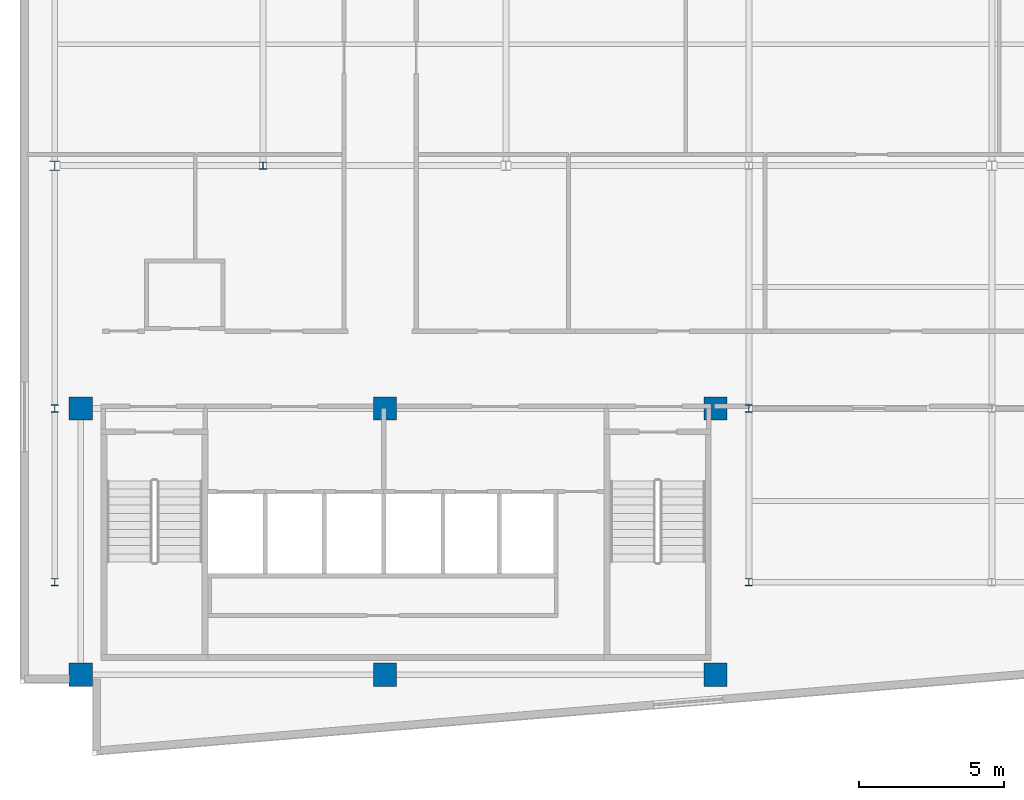
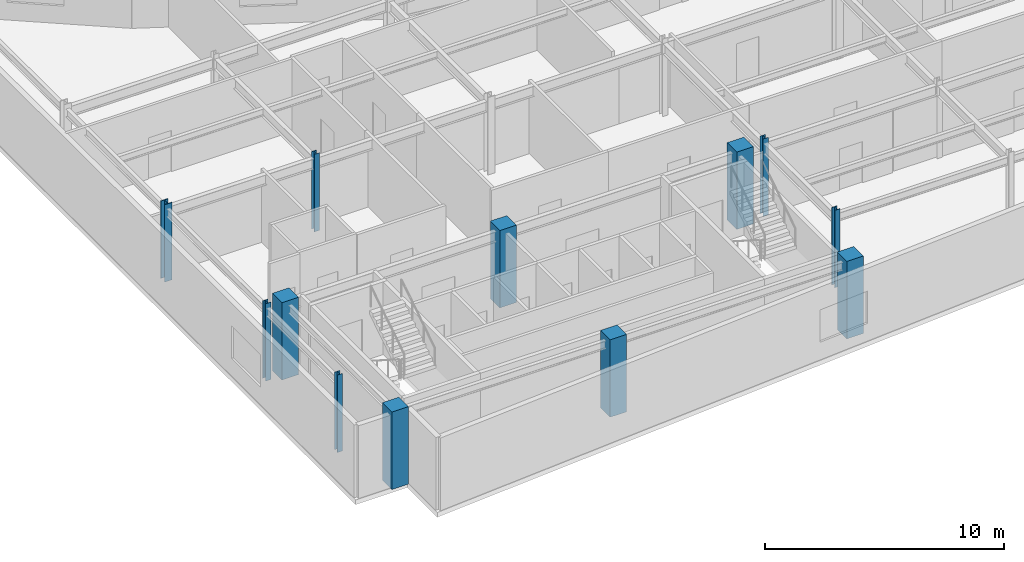
# One storey, part 1 of 15: 12 columns.
"""IFC4 building model written with IfcOpenShell, lengths in metres."""

from ifc_helpers import new_model, si_unit, direction, frame, origin, origin_2d, place, context, subcontext, project, spatial, rectangle, i_section, extrude, material, material_profile, profile_set, type_object, element, save


model = new_model("IFC4")

# Units and contexts
model_context = context("Model", 3, precision=1e-05, world=origin(), true_north=direction((0.0, 1.0)))
body_context = subcontext(model_context, "Body", "Model", "MODEL_VIEW")
ifc_project = project(units=[si_unit("LENGTHUNIT", "METRE"), si_unit("AREAUNIT", "SQUARE_METRE"), si_unit("VOLUMEUNIT", "CUBIC_METRE"), si_unit("PLANEANGLEUNIT", "RADIAN"), si_unit("MASSUNIT", "GRAM", prefix="KILO")], contexts=[model_context])

# Site, building, storey
site_placement = place(None, origin())
site = spatial("IfcSite", under=ifc_project, at=site_placement, CompositionType="ELEMENT")
building_placement = place(site_placement, origin())
building = spatial("IfcBuilding", under=site, at=building_placement, Name="Varnakote Quay Hospital", CompositionType="ELEMENT")
storey_placement = place(building_placement, frame((0.0, 0.0, 252.60009765625)))
storey = spatial("IfcBuildingStorey", under=building, at=storey_placement, Name="L62", CompositionType="ELEMENT", Elevation=252.60009765625)

# Columns
ifc_material_1 = material(Name="Concrete N50 (f'c 50 MPa)", Category="concrete")
ifc_material_profile_1 = material_profile(ifc_material_1, rectangle(XDim=0.800048828125, YDim=0.800048828125, at=origin_2d()), Name="RC-COL-800x800")
ifc_profile_set_1 = profile_set([ifc_material_profile_1], Name="Concrete N50 (f'c 50 MPa)")
column_type_1 = type_object("IfcColumnType", Name="COL-RC-800", PredefinedType="COLUMN", material=ifc_profile_set_1)
for number, where, z_axis, x_axis, name in (
    (1, (2.10009765625, 2.800048828125, 0.0), (0.0, 0.0, 1.0), (1.0, 0.0, 0.0), "L62 Structural Column C-2-3"),
    (2, (12.6201171875, 2.800048828125, 0.0), (0.0, 0.0, 1.0), (1.0, 0.0, 0.0), "L62 Structural Column C-13-3"),
    (3, (24.050048828125, 2.800048828125, 0.0), (0.0, 0.0, 1.0), (1.0, 0.0, 0.0), "L62 Structural Column C-24-3"),
    (4, (2.10009765625, 12.0, 0.0), (0.0, 0.0, 1.0), (1.0, 0.0, 0.0), "L62 Structural Column C-2-12"),
    (5, (12.6201171875, 12.0, 0.0), (0.0, 0.0, 1.0), (1.0, 0.0, 0.0), "L62 Structural Column C-13-12"),
    (6, (24.050048828125, 12.0, 0.0), (0.0, 0.0, 1.0), (1.0, 0.0, 0.0), "L62 Structural Column C-24-12"),
):
    element("IfcColumn", number, at=place(storey_placement, frame(where, z_axis=z_axis, x_axis=x_axis)), inside=storey, type_object=column_type_1, Name=name, PredefinedType="COLUMN", context=body_context, shape_type="SweptSolid", body=[
        extrude(rectangle(XDim=0.800048828125, YDim=0.800048828125, at=origin_2d()), origin(), (0.0, 0.0, 1.0), 3.949951171875),
    ])
ifc_material_2 = material(Name="Structural steel AS/NZS 3679.1 Grade 350 L0 (fy 340 MPa)", Category="steel")
ifc_material_profile_2 = material_profile(ifc_material_2, i_section(OverallWidth=0.25390625, OverallDepth=0.25390625, WebThickness=0.008544921875, FlangeThickness=0.01416015625, FilletRadius=0.0126953125, at=origin_2d()), Name="250UC72.9")
ifc_profile_set_2 = profile_set([ifc_material_profile_2], Name="Structural steel AS/NZS 3679.1 Grade 350 L0 (fy 340 MPa)")
column_type_2 = type_object("IfcColumnType", Name="COL-STL-250UC72-9", PredefinedType="COLUMN", material=ifc_profile_set_2)
for number, where, z_axis, x_axis, name in (
    (7, (1.199951171875, 6.0, 0.0), (0.0, 0.0, 1.0), (1.0, 0.0, 0.0), "L62 Structural Column C-1-6"),
    (8, (25.199951171875, 6.0, 0.0), (0.0, 0.0, 1.0), (1.0, 0.0, 0.0), "L62 Structural Column C-25-6"),
    (9, (1.199951171875, 12.0, 0.0), (0.0, 0.0, 1.0), (1.0, 0.0, 0.0), "L62 Structural Column C-1-12"),
    (10, (25.199951171875, 12.0, 0.0), (0.0, 0.0, 1.0), (1.0, 0.0, 0.0), "L62 Structural Column C-25-12"),
    (11, (8.39990234375, 20.39990234375, 0.0), (0.0, 0.0, 1.0), (1.0, 0.0, 0.0), "L62 Structural Column C-8-20"),
):
    element("IfcColumn", number, at=place(storey_placement, frame(where, z_axis=z_axis, x_axis=x_axis)), inside=storey, type_object=column_type_2, Name=name, PredefinedType="COLUMN", context=body_context, shape_type="SweptSolid", body=[
        extrude(i_section(OverallWidth=0.25390625, OverallDepth=0.25390625, WebThickness=0.008544921875, FlangeThickness=0.01416015625, FilletRadius=0.0126953125, at=origin_2d()), origin(), (0.0, 0.0, 1.0), 3.949951171875),
    ])
ifc_material_3 = material(Name="Structural steel AS/NZS 3678 Grade 350 (fy 340 MPa)", Category="steel")
ifc_material_profile_3 = material_profile(ifc_material_3, i_section(OverallWidth=0.35009765625, OverallDepth=0.340087890625, WebThickness=0.01611328125, FlangeThickness=0.028076171875, at=origin_2d()), Name="350WC197")
ifc_profile_set_3 = profile_set([ifc_material_profile_3], Name="Structural steel AS/NZS 3678 Grade 350 (fy 340 MPa)")
column_type_3 = type_object("IfcColumnType", Name="COL-STL-350WC197", PredefinedType="COLUMN", material=ifc_profile_set_3)
column_placement = place(storey_placement, frame((1.199951171875, 20.39990234375, 0.0), z_axis=(0.0, 0.0, 1.0), x_axis=(1.0, 0.0, 0.0)))
element("IfcColumn", 12, at=column_placement, inside=storey, type_object=column_type_3, Name="L62 Structural Column C-1-20", PredefinedType="COLUMN", context=body_context, shape_type="SweptSolid", body=[
    extrude(i_section(OverallWidth=0.35009765625, OverallDepth=0.340087890625, WebThickness=0.01611328125, FlangeThickness=0.028076171875, at=origin_2d()), origin(), (0.0, 0.0, 1.0), 3.949951171875),
])

save(model, "model.ifc")
